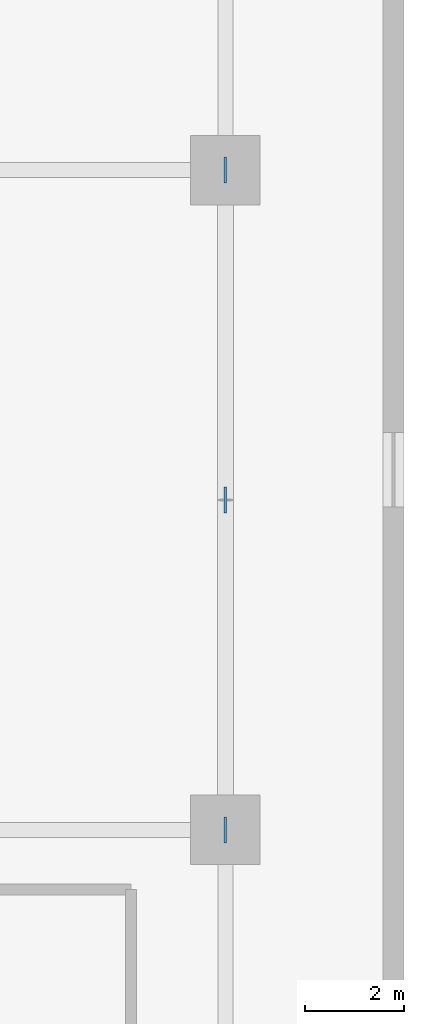
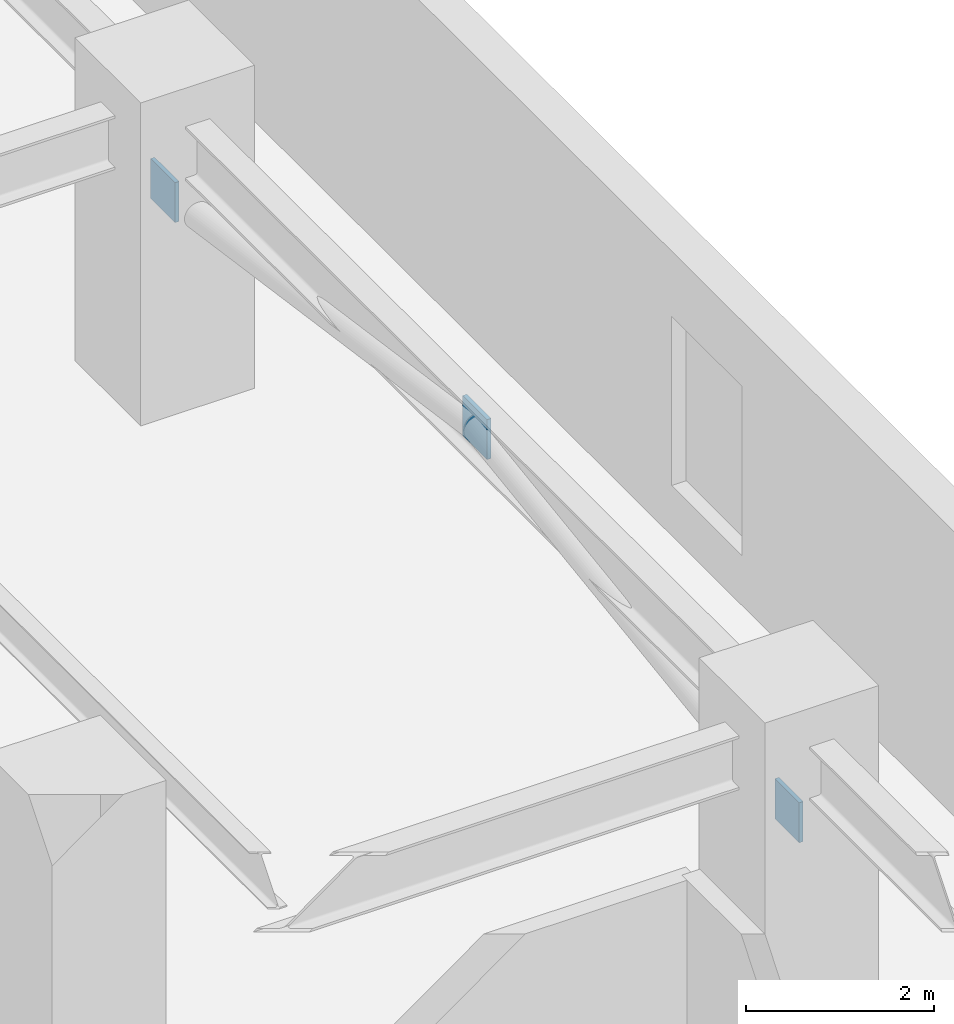
# One storey, part 17 of 20: 3 discrete accessories.
"""IFC4 building model written with IfcOpenShell, lengths in metres."""

from ifc_helpers import new_model, si_unit, direction, frame, origin, origin_2d, place, context, subcontext, project, spatial, rectangle, extrude, material, type_object, element, save


model = new_model("IFC4")

# Units and contexts
model_context = context("Model", 3, precision=1e-05, world=origin(), true_north=direction((0.0, 1.0)))
body_context = subcontext(model_context, "Body", "Model", "MODEL_VIEW")
ifc_project = project(units=[si_unit("LENGTHUNIT", "METRE"), si_unit("AREAUNIT", "SQUARE_METRE"), si_unit("VOLUMEUNIT", "CUBIC_METRE"), si_unit("PLANEANGLEUNIT", "RADIAN"), si_unit("MASSUNIT", "GRAM", prefix="KILO")], contexts=[model_context])

# Site, building, storey
site_placement = place(None, origin())
site = spatial("IfcSite", under=ifc_project, at=site_placement, CompositionType="ELEMENT")
building_placement = place(site_placement, origin())
building = spatial("IfcBuilding", under=site, at=building_placement, Name="Narakoshi Arena Tower", CompositionType="ELEMENT")
storey_placement = place(building_placement, frame((0.0, 0.0, 17.39990234375)))
storey = spatial("IfcBuildingStorey", under=building, at=storey_placement, Name="L04", CompositionType="ELEMENT", Elevation=17.39990234375)

# Discrete accessories
ifc_material = material(Name="Structural steel S460ML", Category="steel")
discrete_accessory_type = type_object("IfcDiscreteAccessoryType", Name="ACC-GUS-PLT", PredefinedType="BRACKET", material=ifc_material)
for number, where, z_axis, x_axis, name in (
    (1, (122.39990234375, 34.699951171875, 2.14013671875), (0.0, 0.0, 1.0), (0.0, 1.0, 0.0), "L04 Brace Node Gusset Plate 0040"),
    (2, (122.39990234375, 41.35009765625, 3.090087890625), (0.0, 0.0, 1.0), (0.0, 1.0, 0.0), "L04 Brace Node Gusset Plate 0041"),
    (3, (122.39990234375, 48.0, 2.14013671875), (0.0, 0.0, 1.0), (0.0, 1.0, 0.0), "L04 Brace Node Gusset Plate 0042"),
):
    element("IfcDiscreteAccessory", number, at=place(storey_placement, frame(where, z_axis=z_axis, x_axis=x_axis)), inside=storey, type_object=discrete_accessory_type, Name=name, PredefinedType="BRACKET", context=body_context, shape_type="SweptSolid", body=[
        extrude(rectangle(XDim=0.52001953125, YDim=0.050048828125, at=origin_2d()), origin(), (0.0, 0.0, 1.0), 0.52001953125),
    ])

save(model, "model.ifc")
